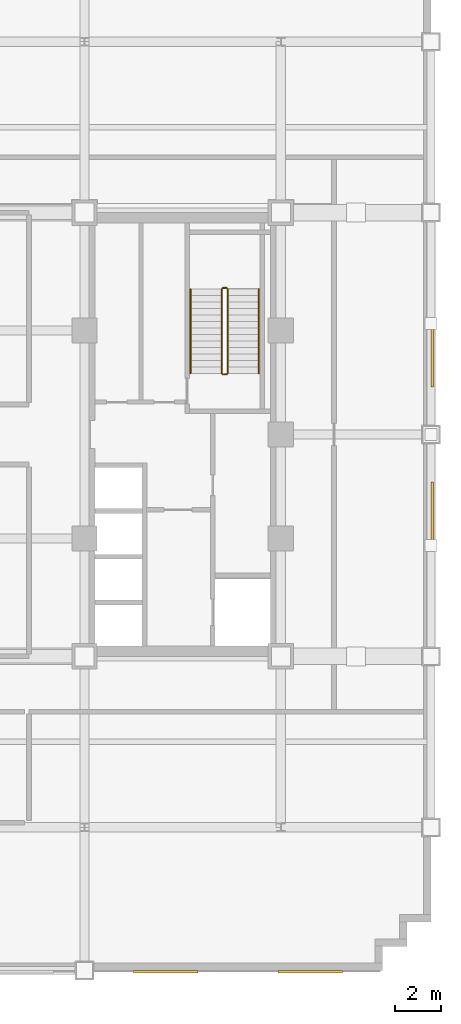
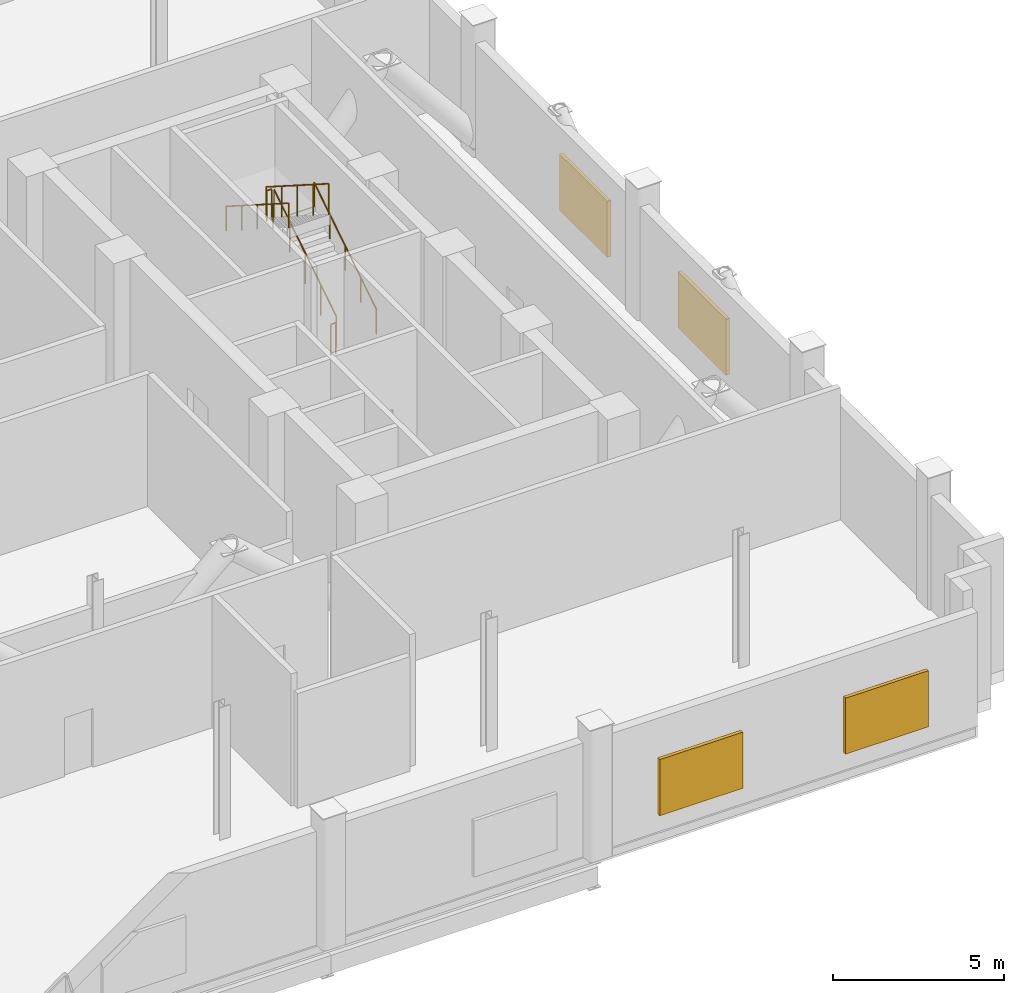
# One storey, part 11 of 12: 6 railings, 4 shading devices.
"""IFC4 building model written with IfcOpenShell, lengths in metres."""

from ifc_helpers import new_model, si_unit, direction, frame, origin, origin_2d, place, context, subcontext, project, spatial, rectangle, circle, extrude, source, transform, mapped, material, type_object, type_shapes, element, save


model = new_model("IFC4")

# Units and contexts
model_context = context("Model", 3, precision=1e-05, world=origin(), true_north=direction((0.0, 1.0)))
body_context = subcontext(model_context, "Body", "Model", "MODEL_VIEW")
ifc_project = project(units=[si_unit("LENGTHUNIT", "METRE"), si_unit("AREAUNIT", "SQUARE_METRE"), si_unit("VOLUMEUNIT", "CUBIC_METRE"), si_unit("PLANEANGLEUNIT", "RADIAN"), si_unit("MASSUNIT", "GRAM", prefix="KILO")], contexts=[model_context])

# Site, building, storey
site_placement = place(None, origin())
site = spatial("IfcSite", under=ifc_project, at=site_placement, CompositionType="ELEMENT")
building_placement = place(site_placement, origin())
building = spatial("IfcBuilding", under=site, at=building_placement, Name="Nuvemarco Arch Tower", CompositionType="ELEMENT")
storey_placement = place(building_placement, frame((0.0, 0.0, 93.300048828125)))
storey = spatial("IfcBuildingStorey", under=building, at=storey_placement, Name="L24", CompositionType="ELEMENT", Elevation=93.300048828125)

# Railings
ifc_material_1 = material(Name="Brushed stainless steel handrail", Category="steel")
railing_type_1 = type_object("IfcRailingType", Name="RL-HANDRAIL-900", PredefinedType="HANDRAIL", material=ifc_material_1)
railing_1_placement = place(storey_placement, frame((16.550048828125, 2.64990234375, 0.178466796875)))
element("IfcRailing", 1, at=railing_1_placement, inside=storey, type_object=railing_type_1, Name="L24 ST-2 stair handrail 1", PredefinedType="HANDRAIL", context=body_context, shape_type="SweptSolid", body=[
    extrude(circle(Radius=0.02392578125, at=origin_2d()), frame((0.0, 0.0, 0.8759765625), z_axis=(0.0, 0.843127859045, 0.537713132908), x_axis=(-1.0, 0.0, 0.0)), (0.0, 0.0, 1.0), 4.3173828125),
    extrude(circle(Radius=0.02099609375, at=origin_2d()), origin(), (0.0, 0.0, 1.0), 0.851806640625),
    extrude(circle(Radius=0.02099609375, at=origin_2d()), frame((0.0, 0.91015625, 0.580322265625)), (0.0, 0.0, 1.0), 0.851806640625),
    extrude(circle(Radius=0.02099609375, at=origin_2d()), frame((0.0, 1.820068359375, 1.16064453125)), (0.0, 0.0, 1.0), 0.851806640625),
    extrude(circle(Radius=0.02099609375, at=origin_2d()), frame((0.0, 2.72998046875, 1.7412109375)), (0.0, 0.0, 1.0), 0.851806640625),
    extrude(circle(Radius=0.02099609375, at=origin_2d()), frame((0.0, 3.64013671875, 2.321533203125)), (0.0, 0.0, 1.0), 0.851806640625),
])
railing_2_placement = place(storey_placement, frame((13.590087890625, 6.2900390625, 2.678466796875)))
element("IfcRailing", 2, at=railing_2_placement, inside=storey, type_object=railing_type_1, Name="L24 ST-2 stair handrail 2", PredefinedType="HANDRAIL", context=body_context, shape_type="SweptSolid", body=[
    extrude(circle(Radius=0.02392578125, at=origin_2d()), frame((0.0, 0.0, 0.8759765625), z_axis=(0.0, -0.843127859045, 0.537713132908), x_axis=(1.0, 0.0, 0.0)), (0.0, 0.0, 1.0), 4.3173828125),
    extrude(circle(Radius=0.02099609375, at=origin_2d()), origin(), (0.0, 0.0, 1.0), 0.851806640625),
    extrude(circle(Radius=0.02099609375, at=origin_2d()), frame((0.0, -0.91015625, 0.580322265625)), (0.0, 0.0, 1.0), 0.851806640625),
    extrude(circle(Radius=0.02099609375, at=origin_2d()), frame((0.0, -1.820068359375, 1.16064453125)), (0.0, 0.0, 1.0), 0.851806640625),
    extrude(circle(Radius=0.02099609375, at=origin_2d()), frame((0.0, -2.72998046875, 1.7412109375)), (0.0, 0.0, 1.0), 0.851806640625),
    extrude(circle(Radius=0.02099609375, at=origin_2d()), frame((0.0, -3.64013671875, 2.321533203125)), (0.0, 0.0, 1.0), 0.851806640625),
])
ifc_material_2 = material(Name="Painted balustrade steel S355", Category="steel")
railing_type_2 = type_object("IfcRailingType", Name="RL-STAIR-GUARD", PredefinedType="GUARDRAIL", material=ifc_material_2)
railing_3_placement = place(storey_placement, frame((15.199951171875, 2.64990234375, 0.178466796875)))
element("IfcRailing", 3, at=railing_3_placement, inside=storey, type_object=railing_type_2, Name="L24 ST-2 stair guard 1", PredefinedType="GUARDRAIL", context=body_context, shape_type="SweptSolid", body=[
    extrude(circle(Radius=0.02392578125, at=origin_2d()), frame((0.0, 0.0, 1.09619140625), z_axis=(0.0, 0.843127859045, 0.537713132908), x_axis=(-1.0, 0.0, 0.0)), (0.0, 0.0, 1.0), 4.3173828125),
    extrude(circle(Radius=0.02099609375, at=origin_2d()), origin(), (0.0, 0.0, 1.0), 1.072021484375),
    extrude(circle(Radius=0.02099609375, at=origin_2d()), frame((0.0, 0.91015625, 0.580322265625)), (0.0, 0.0, 1.0), 1.072021484375),
    extrude(circle(Radius=0.02099609375, at=origin_2d()), frame((0.0, 1.820068359375, 1.16064453125)), (0.0, 0.0, 1.0), 1.072021484375),
    extrude(circle(Radius=0.02099609375, at=origin_2d()), frame((0.0, 2.72998046875, 1.7412109375)), (0.0, 0.0, 1.0), 1.072021484375),
    extrude(circle(Radius=0.02099609375, at=origin_2d()), frame((0.0, 3.64013671875, 2.321533203125)), (0.0, 0.0, 1.0), 1.072021484375),
])
railing_4_placement = place(storey_placement, frame((15.14990234375, 6.340087890625, 2.5)))
element("IfcRailing", 4, at=railing_4_placement, inside=storey, type_object=railing_type_2, Name="L24 ST-2 stair guard 2", PredefinedType="GUARDRAIL", context=body_context, shape_type="SweptSolid", body=[
    extrude(circle(Radius=0.02392578125, at=origin_2d()), frame((0.0, 0.0, 1.09619140625), z_axis=(-1.0, 0.0, 0.0), x_axis=(0.0, -1.0, 0.0)), (0.0, 0.0, 1.0), 0.159912109375),
    extrude(circle(Radius=0.02099609375, at=origin_2d()), origin(), (0.0, 0.0, 1.0), 1.072021484375),
    extrude(circle(Radius=0.02099609375, at=origin_2d()), frame((-0.159912109375, 0.0, 0.0)), (0.0, 0.0, 1.0), 1.072021484375),
])
railing_5_placement = place(storey_placement, frame((14.93994140625, 6.2900390625, 2.678466796875)))
element("IfcRailing", 5, at=railing_5_placement, inside=storey, type_object=railing_type_2, Name="L24 ST-2 stair guard 3", PredefinedType="GUARDRAIL", context=body_context, shape_type="SweptSolid", body=[
    extrude(circle(Radius=0.02392578125, at=origin_2d()), frame((0.0, 0.0, 1.09619140625), z_axis=(0.0, -0.843127859045, 0.537713132908), x_axis=(1.0, 0.0, 0.0)), (0.0, 0.0, 1.0), 4.3173828125),
    extrude(circle(Radius=0.02099609375, at=origin_2d()), origin(), (0.0, 0.0, 1.0), 1.072021484375),
    extrude(circle(Radius=0.02099609375, at=origin_2d()), frame((0.0, -0.91015625, 0.580322265625)), (0.0, 0.0, 1.0), 1.072021484375),
    extrude(circle(Radius=0.02099609375, at=origin_2d()), frame((0.0, -1.820068359375, 1.16064453125)), (0.0, 0.0, 1.0), 1.072021484375),
    extrude(circle(Radius=0.02099609375, at=origin_2d()), frame((0.0, -2.72998046875, 1.7412109375)), (0.0, 0.0, 1.0), 1.072021484375),
    extrude(circle(Radius=0.02099609375, at=origin_2d()), frame((0.0, -3.64013671875, 2.321533203125)), (0.0, 0.0, 1.0), 1.072021484375),
])
railing_6_placement = place(storey_placement, frame((15.14990234375, 2.60009765625, 0.0)))
element("IfcRailing", 6, at=railing_6_placement, inside=storey, type_object=railing_type_2, Name="L24 ST-2 stair guard 4", PredefinedType="GUARDRAIL", context=body_context, shape_type="SweptSolid", body=[
    extrude(circle(Radius=0.02392578125, at=origin_2d()), frame((0.0, 0.0, 1.09619140625), z_axis=(-1.0, 0.0, 0.0), x_axis=(0.0, -1.0, 0.0)), (0.0, 0.0, 1.0), 0.159912109375),
    extrude(circle(Radius=0.02099609375, at=origin_2d()), origin(), (0.0, 0.0, 1.0), 1.072021484375),
    extrude(circle(Radius=0.02099609375, at=origin_2d()), frame((-0.159912109375, 0.0, 0.0)), (0.0, 0.0, 1.0), 1.072021484375),
])

# Shading devices
ifc_material_3 = material(Name="Anodised aluminium 6063-T6", Category="aluminium")
shading_device_type = type_object("IfcShadingDeviceType", Name="SHD-LOUVRE-PLANT", PredefinedType="JALOUSIE", material=ifc_material_3)
shared_shape = source(origin(), body_context, "Body", "SweptSolid", [
    extrude(rectangle(XDim=2.800048828125, YDim=0.1201171875, at=origin_2d()), origin(), (0.0, 0.0, 1.0), 2.0),
])
type_shapes(shading_device_type, [shared_shape])
for number, where, z_axis, x_axis, name in (
    (7, (12.514404296875, -23.2548828125, 0.64990234375), (0.0, 0.0, 1.0), (1.0, 0.0, 0.0), "L24 acoustic plant louvre panel 6"),
    (8, (18.771484375, -23.2548828125, 0.64990234375), (0.0, 0.0, 1.0), (1.0, 0.0, 0.0), "L24 acoustic plant louvre panel 7"),
    (9, (24.054931640625, -3.464111328125, 0.64990234375), (0.0, 0.0, 1.0), (0.0, 1.0, 0.0), "L24 acoustic plant louvre panel 3"),
    (10, (24.054931640625, 3.464111328125, 0.64990234375), (0.0, 0.0, 1.0), (0.0, 1.0, 0.0), "L24 acoustic plant louvre panel 4"),
):
    element("IfcShadingDevice", number, at=place(storey_placement, frame(where, z_axis=z_axis, x_axis=x_axis)), inside=storey, type_object=shading_device_type, Name=name, PredefinedType="JALOUSIE", context=body_context, shape_type="MappedRepresentation", body=[
        mapped(shared_shape, transform((0.0, 0.0, 0.0), scale=1.0)),
    ])

save(model, "model.ifc")
